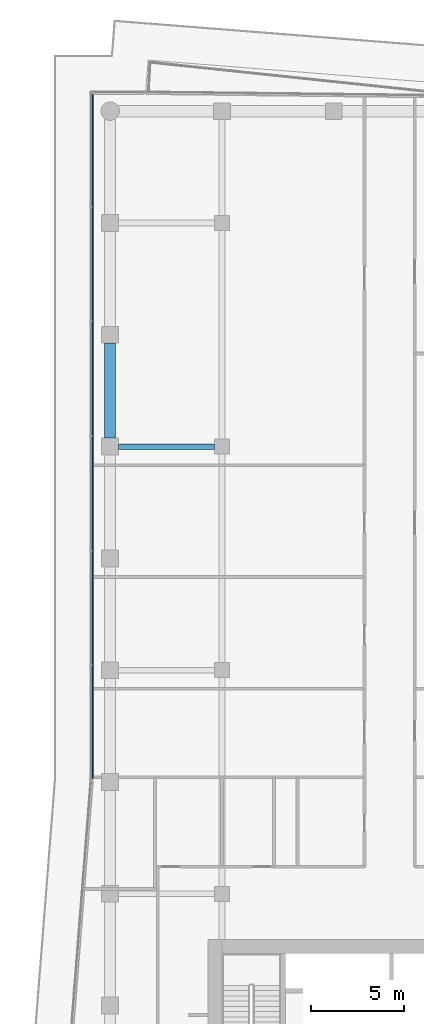
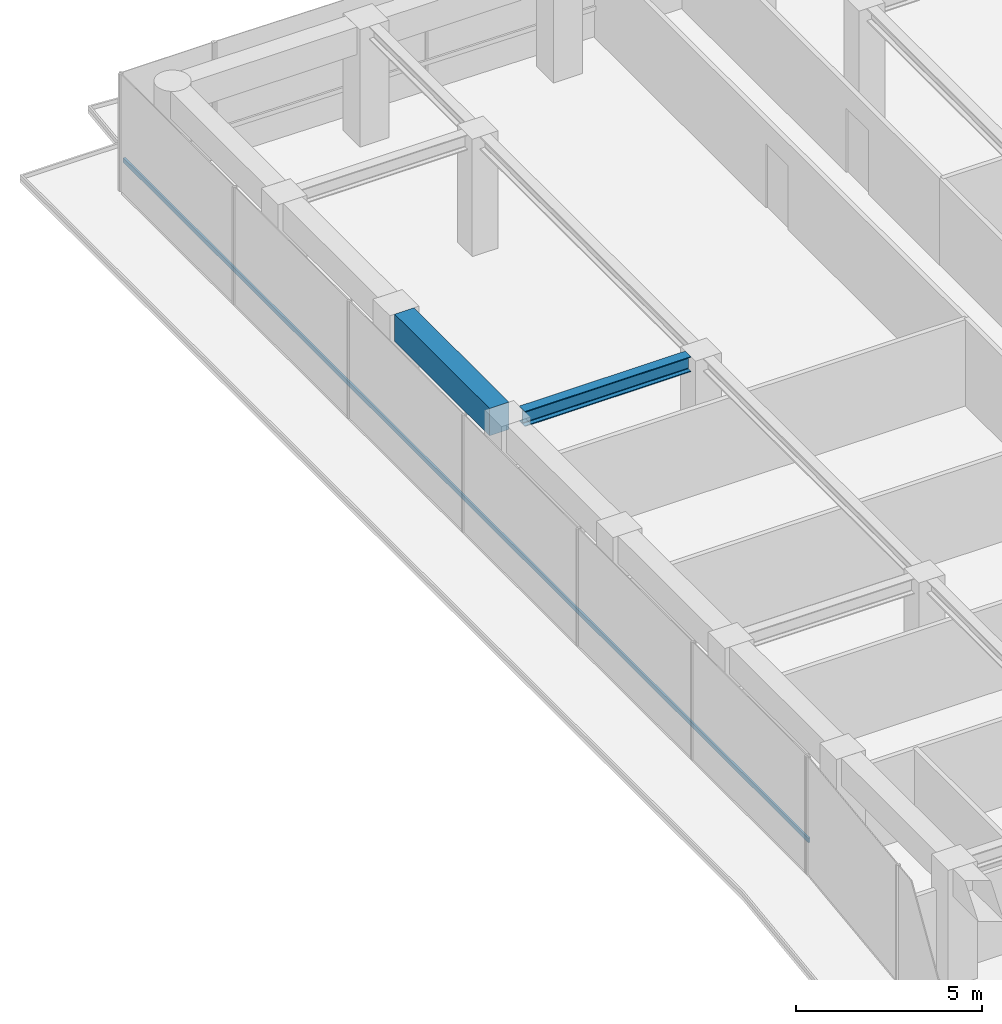
# One storey, part 13 of 24: 2 beams, 1 member, 1 element without a shape of its own.
"""IFC4 building model written with IfcOpenShell, lengths in metres."""

from ifc_helpers import new_model, si_unit, direction, frame, origin, origin_2d, place, context, subcontext, project, spatial, rectangle, i_section, extrude, material, layer, layer_set, material_profile, profile_set, type_object, element, aggregate, save


model = new_model("IFC4")

# Units and contexts
model_context = context("Model", 3, precision=1e-05, world=origin(), true_north=direction((0.0, 1.0)))
body_context = subcontext(model_context, "Body", "Model", "MODEL_VIEW")
ifc_project = project(units=[si_unit("LENGTHUNIT", "METRE"), si_unit("AREAUNIT", "SQUARE_METRE"), si_unit("VOLUMEUNIT", "CUBIC_METRE"), si_unit("PLANEANGLEUNIT", "RADIAN"), si_unit("MASSUNIT", "GRAM", prefix="KILO")], contexts=[model_context])

# Site, building, storey
site_placement = place(None, origin())
site = spatial("IfcSite", under=ifc_project, at=site_placement, CompositionType="ELEMENT")
building_placement = place(site_placement, origin())
building = spatial("IfcBuilding", under=site, at=building_placement, Name="Welwitschia Terrace Campus", CompositionType="ELEMENT")
storey_placement = place(building_placement, frame((0.0, 0.0, 129.800048828125)))
storey = spatial("IfcBuildingStorey", under=building, at=storey_placement, Name="L29", CompositionType="ELEMENT", Elevation=129.800048828125)

# Beams
ifc_material_1 = material(Name="Steel S355", Category="steel")
ifc_material_profile_1 = material_profile(ifc_material_1, i_section(OverallWidth=0.300048828125, OverallDepth=0.5, WebThickness=0.014404296875, FlangeThickness=0.028076171875, FilletRadius=0.027099609375, at=origin_2d()))
ifc_profile_set_1 = profile_set([ifc_material_profile_1], Name="Steel S355")
beam_type_1 = type_object("IfcBeamType", Name="Primary beam HE 500 B", PredefinedType="BEAM", material=ifc_profile_set_1)
beam_1_placement = place(storey_placement, frame((0.450439453125, 52.0, 3.599853515625), z_axis=(1.0, 0.0, 0.0), x_axis=(0.0, 1.0, 0.0)))
element("IfcBeam", 1, at=beam_1_placement, inside=storey, type_object=beam_type_1, Name="Primary beam PB3", PredefinedType="BEAM", context=body_context, shape_type="SweptSolid", body=[
    extrude(i_section(OverallWidth=0.300048828125, OverallDepth=0.5, WebThickness=0.014404296875, FlangeThickness=0.028076171875, FilletRadius=0.027099609375, at=origin_2d()), origin(), (0.0, 0.0, 1.0), 5.149169921875),
])
ifc_material_2 = material(Name="Concrete C60/75", Category="concrete")
ifc_material_profile_2 = material_profile(ifc_material_2, rectangle(XDim=0.60009765625, YDim=0.89990234375, at=origin_2d()))
ifc_profile_set_2 = profile_set([ifc_material_profile_2], Name="Concrete C60/75")
beam_type_2 = type_object("IfcBeamType", Name="Ring spandrel 600x900", PredefinedType="SPANDREL", material=ifc_profile_set_2)
beam_2_placement = place(storey_placement, frame((0.0, 57.549560546875, 3.39990234375), z_axis=(0.0, -1.0, 0.0), x_axis=(1.0, 0.0, 0.0)))
element("IfcBeam", 2, at=beam_2_placement, inside=storey, type_object=beam_type_2, Name="Spandrel SP2", PredefinedType="SPANDREL", context=body_context, shape_type="SweptSolid", body=[
    extrude(rectangle(XDim=0.60009765625, YDim=0.89990234375, at=origin_2d()), origin(), (0.0, 0.0, 1.0), 5.09912109375),
])

# Curtain wall, member
ifc_material_3 = material(Name="Bronze anodised aluminium", Category="aluminium")
ifc_layer = layer(ifc_material_3, 0.1201171875)
ifc_layer_set = layer_set([ifc_layer], Name="Bronze anodised aluminium")
curtain_wall_type = type_object("IfcCurtainWallType", Name="Curtain wall CW2 tower 6000", PredefinedType="NOTDEFINED", material=ifc_layer_set)
curtain_wall_placement = place(storey_placement, origin())
curtain_wall = element("IfcCurtainWall", 3, at=curtain_wall_placement, inside=storey, type_object=curtain_wall_type, Name="CW L29.13.0", PredefinedType="NOTDEFINED")
ifc_material_4 = material(Name="Bronze anodised aluminium", Category="aluminium")
ifc_material_profile_3 = material_profile(ifc_material_4, rectangle(XDim=0.06005859375, YDim=0.14990234375, at=origin_2d()))
ifc_profile_set_3 = profile_set([ifc_material_profile_3], Name="Bronze anodised aluminium")
member_type = type_object("IfcMemberType", Name="Transom 60x150", PredefinedType="USERDEFINED", material=ifc_profile_set_3)
member_placement = place(storey_placement, frame((-0.93994140625, 70.969970703125, 1.0), z_axis=(0.0, -1.0, 0.0), x_axis=(1.0, 0.0, 0.0)))
member = element("IfcMember", 4, at=member_placement, type_object=member_type, Name="Transom L29.13.0", ObjectType="TRANSOM", PredefinedType="USERDEFINED", context=body_context, shape_type="SweptSolid", body=[
    extrude(rectangle(XDim=0.06005859375, YDim=0.14990234375, at=origin_2d()), origin(), (0.0, 0.0, 1.0), 36.79833984375),
])
aggregate(curtain_wall, [member])

save(model, "model.ifc")
